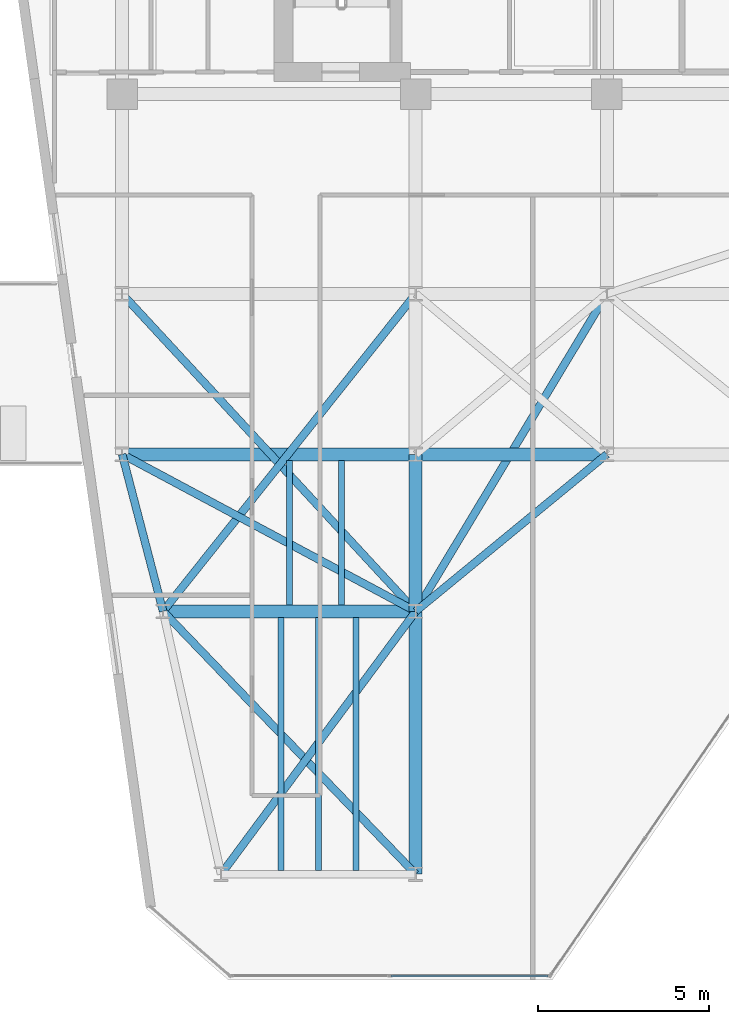
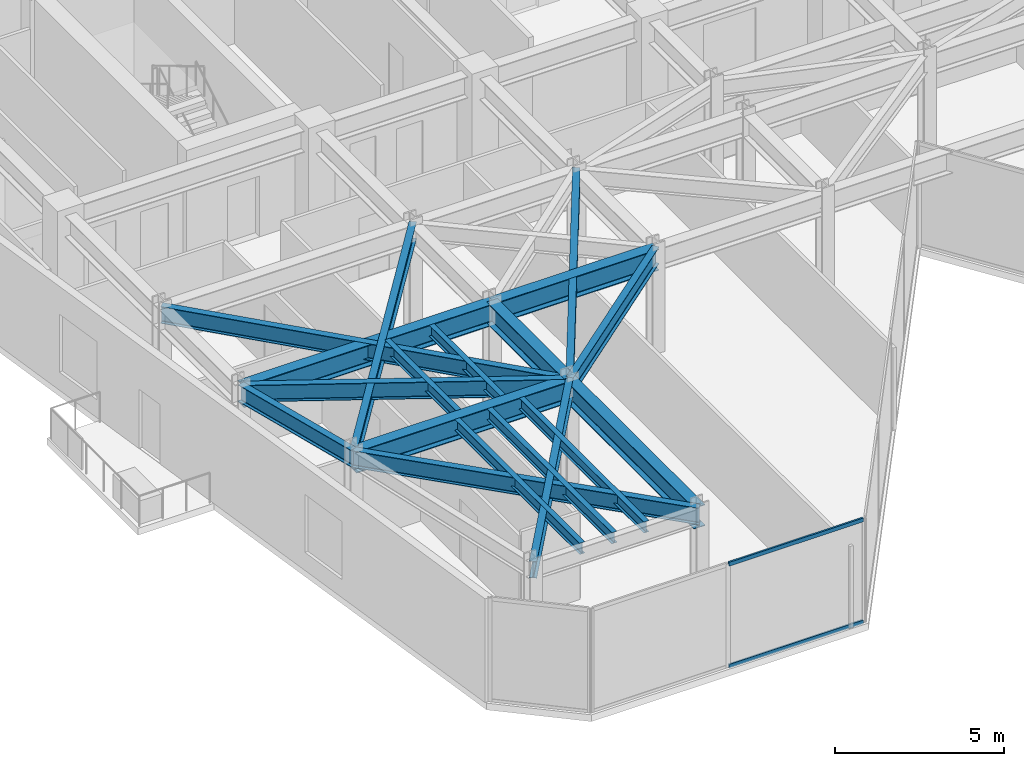
# One storey, part 3 of 21: 18 beams, 2 members, 1 element without a shape of its own.
"""IFC4 building model written with IfcOpenShell, lengths in metres."""

from ifc_helpers import new_model, si_unit, direction, frame, origin, origin_2d, place, context, subcontext, project, spatial, hollow_rectangle, i_section, extrude, material, layer, layer_set, material_profile, profile_set, type_object, element, aggregate, save


model = new_model("IFC4")

# Units and contexts
model_context = context("Model", 3, precision=1e-05, world=origin(), true_north=direction((0.0, 1.0)))
body_context = subcontext(model_context, "Body", "Model", "MODEL_VIEW")
ifc_project = project(units=[si_unit("LENGTHUNIT", "METRE"), si_unit("AREAUNIT", "SQUARE_METRE"), si_unit("VOLUMEUNIT", "CUBIC_METRE"), si_unit("PLANEANGLEUNIT", "RADIAN"), si_unit("MASSUNIT", "GRAM", prefix="KILO")], contexts=[model_context])

# Site, building, storey
site_placement = place(None, origin())
site = spatial("IfcSite", under=ifc_project, at=site_placement, CompositionType="ELEMENT")
building_placement = place(site_placement, origin())
building = spatial("IfcBuilding", under=site, at=building_placement, Name="Kravanh Interchange Tower", CompositionType="ELEMENT")
storey_placement = place(building_placement, frame((0.0, 0.0, 192.5)))
storey = spatial("IfcBuildingStorey", under=building, at=storey_placement, Name="L46", CompositionType="ELEMENT", Elevation=192.5)

# Curtain wall, members
ifc_material_1 = material(Name="Anodised Bronze Aluminium", Category="aluminium")
ifc_layer = layer(ifc_material_1, 0.179931640625)
ifc_layer_set = layer_set([ifc_layer], Name="Unitised Curtain Wall System CW-Z3 Upper Office")
curtain_wall_type = type_object("IfcCurtainWallType", Name="Unitised Curtain Wall System CW-Z3 Upper Office", PredefinedType="NOTDEFINED", material=ifc_layer_set)
curtain_wall_placement = place(storey_placement, origin())
curtain_wall = element("IfcCurtainWall", 1, at=curtain_wall_placement, inside=storey, type_object=curtain_wall_type, Name="L46 Unitised Curtain Wall CW-L46-05", PredefinedType="NOTDEFINED")
ifc_material_2 = material(Name="Anodised Bronze Aluminium", Category="aluminium")
ifc_material_profile_1 = material_profile(ifc_material_2, hollow_rectangle(XDim=0.06005859375, YDim=0.139892578125, WallThickness=0.00390625, at=origin_2d()), Name="ALU60X140X4")
ifc_profile_set_1 = profile_set([ifc_material_profile_1], Name="Anodised Bronze Aluminium")
member_type = type_object("IfcMemberType", Name="Curtain Wall Transom ALU60X140X4 Bronze", PredefinedType="USERDEFINED", material=ifc_profile_set_1)
member_1_placement = place(storey_placement, frame((31.076904296875, 11.52001953125, 0.030029296875), z_axis=(-1.0, 0.0, 0.0), x_axis=(0.0, -1.0, 0.0)))
member_1 = element("IfcMember", 2, at=member_1_placement, type_object=member_type, Name="CW-Z3 transom 1.1", ObjectType="TRANSOM", PredefinedType="USERDEFINED", context=body_context, shape_type="SweptSolid", body=[
    extrude(hollow_rectangle(XDim=0.06005859375, YDim=0.139892578125, WallThickness=0.00390625, at=origin_2d()), origin(), (0.0, 0.0, 1.0), 4.598876953125),
])
member_2_placement = place(storey_placement, frame((31.076904296875, 11.52001953125, 3.72509765625), z_axis=(-1.0, 0.0, 0.0), x_axis=(0.0, -1.0, 0.0)))
member_2 = element("IfcMember", 3, at=member_2_placement, type_object=member_type, Name="CW-Z3 transom 1.2", ObjectType="TRANSOM", PredefinedType="USERDEFINED", context=body_context, shape_type="SweptSolid", body=[
    extrude(hollow_rectangle(XDim=0.06005859375, YDim=0.139892578125, WallThickness=0.00390625, at=origin_2d()), origin(), (0.0, 0.0, 1.0), 4.598876953125),
])
aggregate(curtain_wall, [member_1, member_2])

# Beams
ifc_material_3 = material(Name="Structural Steel S355", Category="steel")
ifc_material_profile_2 = material_profile(ifc_material_3, i_section(OverallWidth=0.381103515625, OverallDepth=0.77294921875, WebThickness=0.0166015625, FlangeThickness=0.027099609375, FilletRadius=0.02490234375, at=origin_2d()), Name="W30X173")
ifc_profile_set_2 = profile_set([ifc_material_profile_2], Name="Structural Steel S355")
beam_type_1 = type_object("IfcBeamType", Name="Floor Beam W30X173 Structural Steel S355", PredefinedType="BEAM", material=ifc_profile_set_2)
beam_1_placement = place(storey_placement, frame((18.60009765625, 26.800048828125, 3.368408203125), z_axis=(1.0, 0.0, 0.0), x_axis=(0.0, 1.0, 0.0)))
element("IfcBeam", 4, at=beam_1_placement, inside=storey, type_object=beam_type_1, Name="L46 Primary Floor Girder 35", PredefinedType="BEAM", context=body_context, shape_type="SweptSolid", body=[
    extrude(i_section(OverallWidth=0.381103515625, OverallDepth=0.77294921875, WebThickness=0.0166015625, FlangeThickness=0.027099609375, FilletRadius=0.02490234375, at=origin_2d()), origin(), (0.0, 0.0, 1.0), 8.599853515625),
])
beam_2_placement = place(storey_placement, frame((27.199951171875, 26.800048828125, 3.368408203125), z_axis=(0.0, -1.0, 0.0), x_axis=(1.0, 0.0, 0.0)))
element("IfcBeam", 5, at=beam_2_placement, inside=storey, type_object=beam_type_1, Name="L46 Primary Floor Girder 37", PredefinedType="BEAM", context=body_context, shape_type="SweptSolid", body=[
    extrude(i_section(OverallWidth=0.381103515625, OverallDepth=0.77294921875, WebThickness=0.0166015625, FlangeThickness=0.027099609375, FilletRadius=0.02490234375, at=origin_2d()), origin(), (0.0, 0.0, 1.0), 4.60009765625),
])
beam_3_placement = place(storey_placement, frame((27.199951171875, 26.800048828125, 3.368408203125), z_axis=(1.0, 0.0, 0.0), x_axis=(0.0, 1.0, 0.0)))
element("IfcBeam", 6, at=beam_3_placement, inside=storey, type_object=beam_type_1, Name="L46 Primary Floor Girder 39", PredefinedType="BEAM", context=body_context, shape_type="SweptSolid", body=[
    extrude(i_section(OverallWidth=0.381103515625, OverallDepth=0.77294921875, WebThickness=0.0166015625, FlangeThickness=0.027099609375, FilletRadius=0.02490234375, at=origin_2d()), origin(), (0.0, 0.0, 1.0), 5.60009765625),
])
beam_4_placement = place(storey_placement, frame((27.199951171875, 14.5, 3.368408203125), z_axis=(0.0, 1.0, 0.0), x_axis=(-1.0, 0.0, 0.0)))
element("IfcBeam", 7, at=beam_4_placement, inside=storey, type_object=beam_type_1, Name="L46 Primary Floor Girder 70", PredefinedType="BEAM", context=body_context, shape_type="SweptSolid", body=[
    extrude(i_section(OverallWidth=0.381103515625, OverallDepth=0.77294921875, WebThickness=0.0166015625, FlangeThickness=0.027099609375, FilletRadius=0.02490234375, at=origin_2d()), origin(), (0.0, 0.0, 1.0), 7.699951171875),
])
beam_5_placement = place(storey_placement, frame((19.800048828125, 22.199951171875, 3.368408203125), z_axis=(1.0, 0.0, 0.0), x_axis=(0.0, 1.0, 0.0)))
element("IfcBeam", 8, at=beam_5_placement, inside=storey, type_object=beam_type_1, Name="L46 Primary Floor Girder 91", PredefinedType="BEAM", context=body_context, shape_type="SweptSolid", body=[
    extrude(i_section(OverallWidth=0.381103515625, OverallDepth=0.77294921875, WebThickness=0.0166015625, FlangeThickness=0.027099609375, FilletRadius=0.02490234375, at=origin_2d()), origin(), (0.0, 0.0, 1.0), 7.39990234375),
])
ifc_material_4 = material(Name="Structural Steel S355", Category="steel")
ifc_material_profile_3 = material_profile(ifc_material_4, i_section(OverallWidth=0.177978515625, OverallDepth=0.406005859375, WebThickness=0.0078125, FlangeThickness=0.0126953125, FilletRadius=0.01611328125, at=origin_2d()), Name="W16X40")
ifc_profile_set_3 = profile_set([ifc_material_profile_3], Name="Structural Steel S355")
beam_type_2 = type_object("IfcBeamType", Name="Floor Joist W16X40 Structural Steel S355", PredefinedType="JOIST", material=ifc_profile_set_3)
for number, where, z_axis, x_axis, name in (
    (9, (23.25, 14.60888671875, 3.552001953125), (0.0, 1.0, 0.0), (-1.0, 0.0, 0.0), "L46 Secondary Floor Joist 1"),
    (10, (24.35009765625, 14.60888671875, 3.552001953125), (0.0, 1.0, 0.0), (-1.0, 0.0, 0.0), "L46 Secondary Floor Joist 2"),
    (11, (25.449951171875, 14.60888671875, 3.552001953125), (0.0, 1.0, 0.0), (-1.0, 0.0, 0.0), "L46 Secondary Floor Joist 3"),
):
    element("IfcBeam", number, at=place(storey_placement, frame(where, z_axis=z_axis, x_axis=x_axis)), inside=storey, type_object=beam_type_2, Name=name, PredefinedType="JOIST", context=body_context, shape_type="SweptSolid", body=[
        extrude(i_section(OverallWidth=0.177978515625, OverallDepth=0.406005859375, WebThickness=0.0078125, FlangeThickness=0.0126953125, FilletRadius=0.01611328125, at=origin_2d()), origin(), (0.0, 0.0, 1.0), 7.405517578125),
    ])
for number, where, z_axis, x_axis, name in (
    (12, (23.5, 22.385498046875, 3.552001953125), (0.0, 1.0, 0.0), (-1.0, 0.0, 0.0), "L46 Secondary Floor Joist 8"),
    (13, (25.02490234375, 22.385498046875, 3.552001953125), (0.0, 1.0, 0.0), (-1.0, 0.0, 0.0), "L46 Secondary Floor Joist 9"),
):
    element("IfcBeam", number, at=place(storey_placement, frame(where, z_axis=z_axis, x_axis=x_axis)), inside=storey, type_object=beam_type_2, Name=name, PredefinedType="JOIST", context=body_context, shape_type="SweptSolid", body=[
        extrude(i_section(OverallWidth=0.177978515625, OverallDepth=0.406005859375, WebThickness=0.0078125, FlangeThickness=0.0126953125, FilletRadius=0.01611328125, at=origin_2d()), origin(), (0.0, 0.0, 1.0), 4.22900390625),
    ])
ifc_material_5 = material(Name="Structural Steel S355", Category="steel")
ifc_material_profile_4 = material_profile(ifc_material_5, i_section(OverallWidth=0.22802734375, OverallDepth=0.60791015625, WebThickness=0.01123046875, FlangeThickness=0.017333984375, FilletRadius=0.02197265625, at=origin_2d()), Name="W24X76")
ifc_profile_set_4 = profile_set([ifc_material_profile_4], Name="Structural Steel S355")
beam_type_3 = type_object("IfcBeamType", Name="Floor Spandrel W24X76 Structural Steel S355", PredefinedType="SPANDREL", material=ifc_profile_set_4)
beam_6_placement = place(storey_placement, frame((21.5, 14.5, 3.450927734375), z_axis=(0.59497703726, 0.803742698339, 0.0), x_axis=(-0.803742698339, 0.59497703726, 0.0)))
element("IfcBeam", 14, at=beam_6_placement, inside=storey, type_object=beam_type_3, Name="L46 Perimeter Spandrel 32", PredefinedType="SPANDREL", context=body_context, shape_type="SweptSolid", body=[
    extrude(i_section(OverallWidth=0.22802734375, OverallDepth=0.60791015625, WebThickness=0.01123046875, FlangeThickness=0.017333984375, FilletRadius=0.02197265625, at=origin_2d()), origin(), (0.0, 0.0, 1.0), 9.580078125),
])
beam_7_placement = place(storey_placement, frame((18.60009765625, 26.800048828125, 3.450927734375), z_axis=(0.252407263364, -0.967621089787, 0.0), x_axis=(0.967621089787, 0.252407263364, 0.0)))
element("IfcBeam", 15, at=beam_7_placement, inside=storey, type_object=beam_type_3, Name="L46 Perimeter Spandrel 34", PredefinedType="SPANDREL", context=body_context, shape_type="SweptSolid", body=[
    extrude(i_section(OverallWidth=0.22802734375, OverallDepth=0.60791015625, WebThickness=0.01123046875, FlangeThickness=0.017333984375, FilletRadius=0.02197265625, at=origin_2d()), origin(), (0.0, 0.0, 1.0), 4.75390625),
])
beam_8_placement = place(storey_placement, frame((18.60009765625, 26.800048828125, 3.450927734375), z_axis=(0.881777136221, -0.471666282489, 0.0), x_axis=(0.471666282489, 0.881777136221, 0.0)))
element("IfcBeam", 16, at=beam_8_placement, inside=storey, type_object=beam_type_3, Name="L46 Perimeter Spandrel 36", PredefinedType="SPANDREL", context=body_context, shape_type="SweptSolid", body=[
    extrude(i_section(OverallWidth=0.22802734375, OverallDepth=0.60791015625, WebThickness=0.01123046875, FlangeThickness=0.017333984375, FilletRadius=0.02197265625, at=origin_2d()), origin(), (0.0, 0.0, 1.0), 9.7529296875),
])
beam_9_placement = place(storey_placement, frame((32.800048828125, 26.800048828125, 3.450927734375), z_axis=(-0.772725074305, -0.634740860147, 0.0), x_axis=(0.634740860147, -0.772725074305, 0.0)))
element("IfcBeam", 17, at=beam_9_placement, inside=storey, type_object=beam_type_3, Name="L46 Perimeter Spandrel 43", PredefinedType="SPANDREL", context=body_context, shape_type="SweptSolid", body=[
    extrude(i_section(OverallWidth=0.22802734375, OverallDepth=0.60791015625, WebThickness=0.01123046875, FlangeThickness=0.017333984375, FilletRadius=0.02197265625, at=origin_2d()), origin(), (0.0, 0.0, 1.0), 7.247314453125),
])
beam_10_placement = place(storey_placement, frame((18.60009765625, 31.5, 3.450927734375), z_axis=(0.678927458783, -0.734205356634, 0.0), x_axis=(0.734205356634, 0.678927458783, 0.0)))
element("IfcBeam", 18, at=beam_10_placement, inside=storey, type_object=beam_type_3, Name="L46 Perimeter Spandrel 63", PredefinedType="SPANDREL", context=body_context, shape_type="SweptSolid", body=[
    extrude(i_section(OverallWidth=0.22802734375, OverallDepth=0.60791015625, WebThickness=0.01123046875, FlangeThickness=0.017333984375, FilletRadius=0.02197265625, at=origin_2d()), origin(), (0.0, 0.0, 1.0), 12.666748046875),
])
beam_11_placement = place(storey_placement, frame((27.199951171875, 31.5, 3.450927734375), z_axis=(-0.622633646541, -0.782513477324, 0.0), x_axis=(0.782513477324, -0.622633646541, 0.0)))
element("IfcBeam", 19, at=beam_11_placement, inside=storey, type_object=beam_type_3, Name="L46 Perimeter Spandrel 66", PredefinedType="SPANDREL", context=body_context, shape_type="SweptSolid", body=[
    extrude(i_section(OverallWidth=0.22802734375, OverallDepth=0.60791015625, WebThickness=0.01123046875, FlangeThickness=0.017333984375, FilletRadius=0.02197265625, at=origin_2d()), origin(), (0.0, 0.0, 1.0), 11.884765625),
])
beam_12_placement = place(storey_placement, frame((32.800048828125, 31.5, 3.450927734375), z_axis=(-0.515854375109, -0.856676288735, 0.0), x_axis=(0.856676288735, -0.515854375109, 0.0)))
element("IfcBeam", 20, at=beam_12_placement, inside=storey, type_object=beam_type_3, Name="L46 Perimeter Spandrel 69", PredefinedType="SPANDREL", context=body_context, shape_type="SweptSolid", body=[
    extrude(i_section(OverallWidth=0.22802734375, OverallDepth=0.60791015625, WebThickness=0.01123046875, FlangeThickness=0.017333984375, FilletRadius=0.02197265625, at=origin_2d()), origin(), (0.0, 0.0, 1.0), 10.85595703125),
])
beam_13_placement = place(storey_placement, frame((27.199951171875, 14.5, 3.450927734375), z_axis=(-0.692919091225, 0.721015348669, 0.0), x_axis=(-0.721015348669, -0.692919091225, 0.0)))
element("IfcBeam", 21, at=beam_13_placement, inside=storey, type_object=beam_type_3, Name="L46 Perimeter Spandrel 71", PredefinedType="SPANDREL", context=body_context, shape_type="SweptSolid", body=[
    extrude(i_section(OverallWidth=0.22802734375, OverallDepth=0.60791015625, WebThickness=0.01123046875, FlangeThickness=0.017333984375, FilletRadius=0.02197265625, at=origin_2d()), origin(), (0.0, 0.0, 1.0), 10.67919921875),
])

save(model, "model.ifc")
